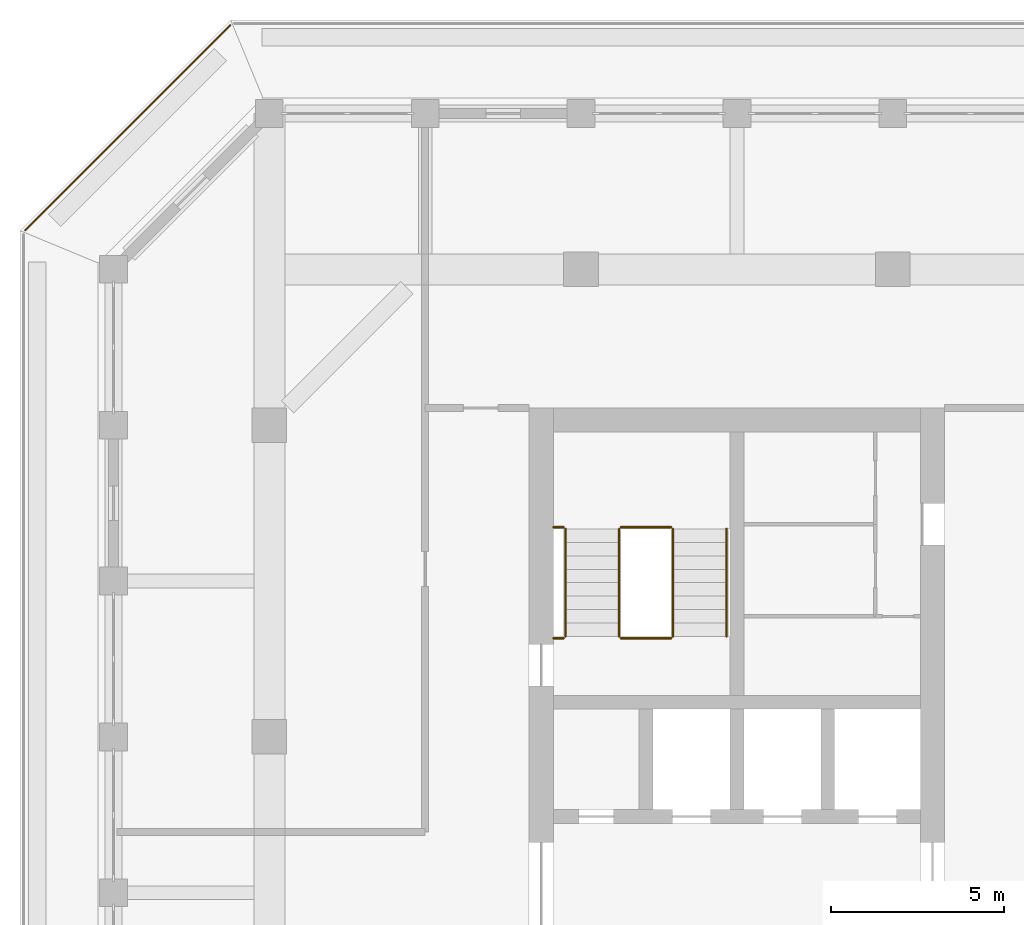
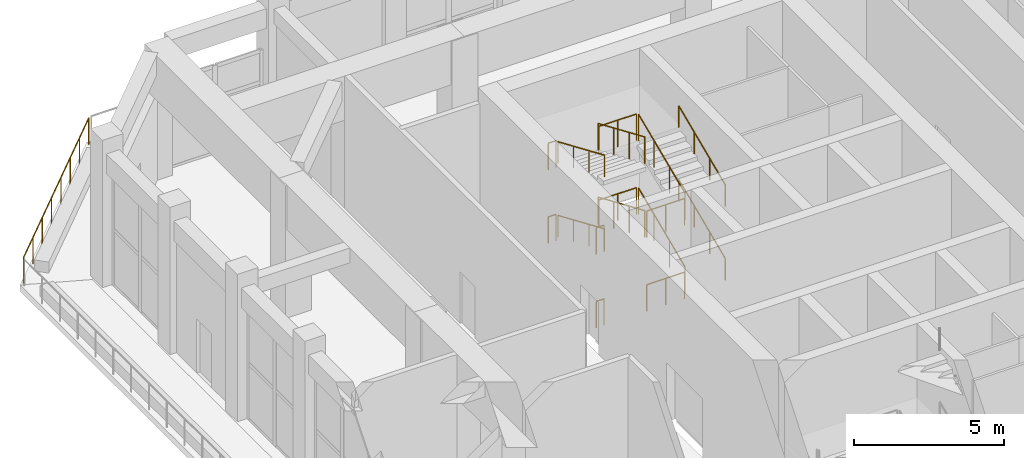
# One storey, part 17 of 20: 17 railings.
"""IFC4 building model written with IfcOpenShell, lengths in metres."""

from ifc_helpers import new_model, si_unit, direction, frame, origin, origin_2d, place, context, subcontext, project, spatial, circle, extrude, material, type_object, element, save


model = new_model("IFC4")

# Units and contexts
model_context = context("Model", 3, precision=1e-05, world=origin(), true_north=direction((0.0, 1.0)))
body_context = subcontext(model_context, "Body", "Model", "MODEL_VIEW")
ifc_project = project(units=[si_unit("LENGTHUNIT", "METRE"), si_unit("AREAUNIT", "SQUARE_METRE"), si_unit("VOLUMEUNIT", "CUBIC_METRE"), si_unit("PLANEANGLEUNIT", "RADIAN"), si_unit("MASSUNIT", "GRAM", prefix="KILO")], contexts=[model_context])

# Site, building, storey
site_placement = place(None, origin())
site = spatial("IfcSite", under=ifc_project, at=site_placement, CompositionType="ELEMENT")
building_placement = place(site_placement, origin())
building = spatial("IfcBuilding", under=site, at=building_placement, Name="Corbel Stack Research Tower", CompositionType="ELEMENT")
storey_placement = place(building_placement, frame((0.0, 0.0, 295.0)))
storey = spatial("IfcBuildingStorey", under=building, at=storey_placement, Name="L67", CompositionType="ELEMENT", Elevation=295.0)

# Railings
ifc_material_1 = material(Name="Steel S355", Category="steel")
railing_type_1 = type_object("IfcRailingType", Name="Stair guard 1100", PredefinedType="GUARDRAIL", material=ifc_material_1)
railing_1_placement = place(storey_placement, frame((-6.35009765625, 11.89990234375, 0.166748046875)))
element("IfcRailing", 1, at=railing_1_placement, inside=storey, type_object=railing_type_1, Name="L67 ST-W2 stair guard 1", PredefinedType="GUARDRAIL", context=body_context, shape_type="SweptSolid", body=[
    extrude(circle(Radius=0.02392578125, at=origin_2d()), frame((0.0, 0.0, 1.076171875), z_axis=(0.0, 0.918826996994, 0.394660549834), x_axis=(-1.0, 0.0, 0.0)), (0.0, 0.0, 1.0), 3.378173828125),
    extrude(circle(Radius=0.02099609375, at=origin_2d()), origin(), (0.0, 0.0, 1.0), 1.052001953125),
    extrude(circle(Radius=0.02099609375, at=origin_2d()), frame((0.0, 1.03466796875, 0.4443359375)), (0.0, 0.0, 1.0), 1.052001953125),
    extrude(circle(Radius=0.02099609375, at=origin_2d()), frame((0.0, 2.0693359375, 0.888916015625)), (0.0, 0.0, 1.0), 1.052001953125),
    extrude(circle(Radius=0.02099609375, at=origin_2d()), frame((0.0, 3.10400390625, 1.333251953125)), (0.0, 0.0, 1.0), 1.052001953125),
])
railing_2_placement = place(storey_placement, frame((-6.39990234375, 15.053955078125, 1.5)))
element("IfcRailing", 2, at=railing_2_placement, inside=storey, type_object=railing_type_1, Name="L67 ST-W2 stair guard 2", PredefinedType="GUARDRAIL", context=body_context, shape_type="SweptSolid", body=[
    extrude(circle(Radius=0.02392578125, at=origin_2d()), frame((0.0, 0.0, 1.076171875), z_axis=(-1.0, 0.0, 0.0), x_axis=(0.0, -1.0, 0.0)), (0.0, 0.0, 1.0), 1.4501953125),
    extrude(circle(Radius=0.02099609375, at=origin_2d()), origin(), (0.0, 0.0, 1.0), 1.052001953125),
    extrude(circle(Radius=0.02099609375, at=origin_2d()), frame((-0.72509765625, 0.0, 0.0)), (0.0, 0.0, 1.0), 1.052001953125),
    extrude(circle(Radius=0.02099609375, at=origin_2d()), frame((-1.4501953125, 0.0, 0.0)), (0.0, 0.0, 1.0), 1.052001953125),
])
railing_3_placement = place(storey_placement, frame((-9.5, 15.053955078125, 1.5)))
element("IfcRailing", 3, at=railing_3_placement, inside=storey, type_object=railing_type_1, Name="L67 ST-W2 stair guard 3", PredefinedType="GUARDRAIL", context=body_context, shape_type="SweptSolid", body=[
    extrude(circle(Radius=0.02392578125, at=origin_2d()), frame((0.0, 0.0, 1.076171875), z_axis=(-1.0, 0.0, 0.0), x_axis=(0.0, -1.0, 0.0)), (0.0, 0.0, 1.0), 0.300048828125),
    extrude(circle(Radius=0.02099609375, at=origin_2d()), origin(), (0.0, 0.0, 1.0), 1.052001953125),
    extrude(circle(Radius=0.02099609375, at=origin_2d()), frame((-0.300048828125, 0.0, 0.0)), (0.0, 0.0, 1.0), 1.052001953125),
])
railing_4_placement = place(storey_placement, frame((-7.89990234375, 15.00390625, 1.666748046875)))
element("IfcRailing", 4, at=railing_4_placement, inside=storey, type_object=railing_type_1, Name="L67 ST-W2 stair guard 4", PredefinedType="GUARDRAIL", context=body_context, shape_type="SweptSolid", body=[
    extrude(circle(Radius=0.02392578125, at=origin_2d()), frame((0.0, 0.0, 1.076171875), z_axis=(0.0, -0.918826996994, 0.394660549834), x_axis=(1.0, 0.0, 0.0)), (0.0, 0.0, 1.0), 3.378173828125),
    extrude(circle(Radius=0.02099609375, at=origin_2d()), origin(), (0.0, 0.0, 1.0), 1.052001953125),
    extrude(circle(Radius=0.02099609375, at=origin_2d()), frame((0.0, -1.03466796875, 0.4443359375)), (0.0, 0.0, 1.0), 1.052001953125),
    extrude(circle(Radius=0.02099609375, at=origin_2d()), frame((0.0, -2.0693359375, 0.888916015625)), (0.0, 0.0, 1.0), 1.052001953125),
    extrude(circle(Radius=0.02099609375, at=origin_2d()), frame((0.0, -3.10400390625, 1.333251953125)), (0.0, 0.0, 1.0), 1.052001953125),
])
railing_5_placement = place(storey_placement, frame((-6.39990234375, 11.85009765625, 3.0)))
element("IfcRailing", 5, at=railing_5_placement, inside=storey, type_object=railing_type_1, Name="L67 ST-W2 stair guard 5", PredefinedType="GUARDRAIL", context=body_context, shape_type="SweptSolid", body=[
    extrude(circle(Radius=0.02392578125, at=origin_2d()), frame((0.0, 0.0, 1.076171875), z_axis=(-1.0, 0.0, 0.0), x_axis=(0.0, -1.0, 0.0)), (0.0, 0.0, 1.0), 1.4501953125),
    extrude(circle(Radius=0.02099609375, at=origin_2d()), origin(), (0.0, 0.0, 1.0), 1.052001953125),
    extrude(circle(Radius=0.02099609375, at=origin_2d()), frame((-0.72509765625, 0.0, 0.0)), (0.0, 0.0, 1.0), 1.052001953125),
    extrude(circle(Radius=0.02099609375, at=origin_2d()), frame((-1.4501953125, 0.0, 0.0)), (0.0, 0.0, 1.0), 1.052001953125),
])
railing_6_placement = place(storey_placement, frame((-9.5, 11.85009765625, 3.0)))
element("IfcRailing", 6, at=railing_6_placement, inside=storey, type_object=railing_type_1, Name="L67 ST-W2 stair guard 6", PredefinedType="GUARDRAIL", context=body_context, shape_type="SweptSolid", body=[
    extrude(circle(Radius=0.02392578125, at=origin_2d()), frame((0.0, 0.0, 1.076171875), z_axis=(-1.0, 0.0, 0.0), x_axis=(0.0, -1.0, 0.0)), (0.0, 0.0, 1.0), 0.300048828125),
    extrude(circle(Radius=0.02099609375, at=origin_2d()), origin(), (0.0, 0.0, 1.0), 1.052001953125),
    extrude(circle(Radius=0.02099609375, at=origin_2d()), frame((-0.300048828125, 0.0, 0.0)), (0.0, 0.0, 1.0), 1.052001953125),
])
railing_7_placement = place(storey_placement, frame((-6.35009765625, 11.89990234375, 3.166748046875)))
element("IfcRailing", 7, at=railing_7_placement, inside=storey, type_object=railing_type_1, Name="L67 ST-W2 stair guard 7", PredefinedType="GUARDRAIL", context=body_context, shape_type="SweptSolid", body=[
    extrude(circle(Radius=0.02392578125, at=origin_2d()), frame((0.0, 0.0, 1.076171875), z_axis=(0.0, 0.918826996994, 0.394660549834), x_axis=(-1.0, 0.0, 0.0)), (0.0, 0.0, 1.0), 3.378173828125),
    extrude(circle(Radius=0.02099609375, at=origin_2d()), origin(), (0.0, 0.0, 1.0), 1.052001953125),
    extrude(circle(Radius=0.02099609375, at=origin_2d()), frame((0.0, 1.03466796875, 0.4443359375)), (0.0, 0.0, 1.0), 1.052001953125),
    extrude(circle(Radius=0.02099609375, at=origin_2d()), frame((0.0, 2.0693359375, 0.888916015625)), (0.0, 0.0, 1.0), 1.052001953125),
    extrude(circle(Radius=0.02099609375, at=origin_2d()), frame((0.0, 3.10400390625, 1.333251953125)), (0.0, 0.0, 1.0), 1.052001953125),
])
railing_8_placement = place(storey_placement, frame((-6.39990234375, 15.053955078125, 4.5)))
element("IfcRailing", 8, at=railing_8_placement, inside=storey, type_object=railing_type_1, Name="L67 ST-W2 stair guard 8", PredefinedType="GUARDRAIL", context=body_context, shape_type="SweptSolid", body=[
    extrude(circle(Radius=0.02392578125, at=origin_2d()), frame((0.0, 0.0, 1.076171875), z_axis=(-1.0, 0.0, 0.0), x_axis=(0.0, -1.0, 0.0)), (0.0, 0.0, 1.0), 1.4501953125),
    extrude(circle(Radius=0.02099609375, at=origin_2d()), origin(), (0.0, 0.0, 1.0), 1.052001953125),
    extrude(circle(Radius=0.02099609375, at=origin_2d()), frame((-0.72509765625, 0.0, 0.0)), (0.0, 0.0, 1.0), 1.052001953125),
    extrude(circle(Radius=0.02099609375, at=origin_2d()), frame((-1.4501953125, 0.0, 0.0)), (0.0, 0.0, 1.0), 1.052001953125),
])
railing_9_placement = place(storey_placement, frame((-9.5, 15.053955078125, 4.5)))
element("IfcRailing", 9, at=railing_9_placement, inside=storey, type_object=railing_type_1, Name="L67 ST-W2 stair guard 9", PredefinedType="GUARDRAIL", context=body_context, shape_type="SweptSolid", body=[
    extrude(circle(Radius=0.02392578125, at=origin_2d()), frame((0.0, 0.0, 1.076171875), z_axis=(-1.0, 0.0, 0.0), x_axis=(0.0, -1.0, 0.0)), (0.0, 0.0, 1.0), 0.300048828125),
    extrude(circle(Radius=0.02099609375, at=origin_2d()), origin(), (0.0, 0.0, 1.0), 1.052001953125),
    extrude(circle(Radius=0.02099609375, at=origin_2d()), frame((-0.300048828125, 0.0, 0.0)), (0.0, 0.0, 1.0), 1.052001953125),
])
railing_10_placement = place(storey_placement, frame((-7.89990234375, 15.00390625, 4.666748046875)))
element("IfcRailing", 10, at=railing_10_placement, inside=storey, type_object=railing_type_1, Name="L67 ST-W2 stair guard 10", PredefinedType="GUARDRAIL", context=body_context, shape_type="SweptSolid", body=[
    extrude(circle(Radius=0.02392578125, at=origin_2d()), frame((0.0, 0.0, 1.076171875), z_axis=(0.0, -0.918826996994, 0.394660549834), x_axis=(1.0, 0.0, 0.0)), (0.0, 0.0, 1.0), 3.378173828125),
    extrude(circle(Radius=0.02099609375, at=origin_2d()), origin(), (0.0, 0.0, 1.0), 1.052001953125),
    extrude(circle(Radius=0.02099609375, at=origin_2d()), frame((0.0, -1.03466796875, 0.4443359375)), (0.0, 0.0, 1.0), 1.052001953125),
    extrude(circle(Radius=0.02099609375, at=origin_2d()), frame((0.0, -2.0693359375, 0.888916015625)), (0.0, 0.0, 1.0), 1.052001953125),
    extrude(circle(Radius=0.02099609375, at=origin_2d()), frame((0.0, -3.10400390625, 1.333251953125)), (0.0, 0.0, 1.0), 1.052001953125),
])
railing_11_placement = place(storey_placement, frame((-6.39990234375, 11.85009765625, 0.0)))
element("IfcRailing", 11, at=railing_11_placement, inside=storey, type_object=railing_type_1, Name="L67 ST-W2 stair guard 11", PredefinedType="GUARDRAIL", context=body_context, shape_type="SweptSolid", body=[
    extrude(circle(Radius=0.02392578125, at=origin_2d()), frame((0.0, 0.0, 1.076171875), z_axis=(-1.0, 0.0, 0.0), x_axis=(0.0, -1.0, 0.0)), (0.0, 0.0, 1.0), 1.4501953125),
    extrude(circle(Radius=0.02099609375, at=origin_2d()), origin(), (0.0, 0.0, 1.0), 1.052001953125),
    extrude(circle(Radius=0.02099609375, at=origin_2d()), frame((-0.72509765625, 0.0, 0.0)), (0.0, 0.0, 1.0), 1.052001953125),
    extrude(circle(Radius=0.02099609375, at=origin_2d()), frame((-1.4501953125, 0.0, 0.0)), (0.0, 0.0, 1.0), 1.052001953125),
])
railing_12_placement = place(storey_placement, frame((-9.5, 11.85009765625, 0.0)))
element("IfcRailing", 12, at=railing_12_placement, inside=storey, type_object=railing_type_1, Name="L67 ST-W2 stair guard 12", PredefinedType="GUARDRAIL", context=body_context, shape_type="SweptSolid", body=[
    extrude(circle(Radius=0.02392578125, at=origin_2d()), frame((0.0, 0.0, 1.076171875), z_axis=(-1.0, 0.0, 0.0), x_axis=(0.0, -1.0, 0.0)), (0.0, 0.0, 1.0), 0.300048828125),
    extrude(circle(Radius=0.02099609375, at=origin_2d()), origin(), (0.0, 0.0, 1.0), 1.052001953125),
    extrude(circle(Radius=0.02099609375, at=origin_2d()), frame((-0.300048828125, 0.0, 0.0)), (0.0, 0.0, 1.0), 1.052001953125),
])
ifc_material_2 = material(Name="Steel S355", Category="steel")
railing_type_2 = type_object("IfcRailingType", Name="Stair handrail 900", PredefinedType="HANDRAIL", material=ifc_material_2)
railing_13_placement = place(storey_placement, frame((-4.800048828125, 11.89990234375, 0.166748046875)))
element("IfcRailing", 13, at=railing_13_placement, inside=storey, type_object=railing_type_2, Name="L67 ST-W2 stair handrail 1", PredefinedType="HANDRAIL", context=body_context, shape_type="SweptSolid", body=[
    extrude(circle(Radius=0.02392578125, at=origin_2d()), frame((0.0, 0.0, 0.8759765625), z_axis=(0.0, 0.918826996994, 0.394660549834), x_axis=(-1.0, 0.0, 0.0)), (0.0, 0.0, 1.0), 3.378173828125),
    extrude(circle(Radius=0.02099609375, at=origin_2d()), origin(), (0.0, 0.0, 1.0), 0.851806640625),
    extrude(circle(Radius=0.02099609375, at=origin_2d()), frame((0.0, 1.03466796875, 0.4443359375)), (0.0, 0.0, 1.0), 0.851806640625),
    extrude(circle(Radius=0.02099609375, at=origin_2d()), frame((0.0, 2.0693359375, 0.888916015625)), (0.0, 0.0, 1.0), 0.851806640625),
    extrude(circle(Radius=0.02099609375, at=origin_2d()), frame((0.0, 3.10400390625, 1.333251953125)), (0.0, 0.0, 1.0), 0.851806640625),
])
railing_14_placement = place(storey_placement, frame((-9.449951171875, 15.00390625, 1.666748046875)))
element("IfcRailing", 14, at=railing_14_placement, inside=storey, type_object=railing_type_2, Name="L67 ST-W2 stair handrail 2", PredefinedType="HANDRAIL", context=body_context, shape_type="SweptSolid", body=[
    extrude(circle(Radius=0.02392578125, at=origin_2d()), frame((0.0, 0.0, 0.8759765625), z_axis=(0.0, -0.918826996994, 0.394660549834), x_axis=(1.0, 0.0, 0.0)), (0.0, 0.0, 1.0), 3.378173828125),
    extrude(circle(Radius=0.02099609375, at=origin_2d()), origin(), (0.0, 0.0, 1.0), 0.851806640625),
    extrude(circle(Radius=0.02099609375, at=origin_2d()), frame((0.0, -1.03466796875, 0.4443359375)), (0.0, 0.0, 1.0), 0.851806640625),
    extrude(circle(Radius=0.02099609375, at=origin_2d()), frame((0.0, -2.0693359375, 0.888916015625)), (0.0, 0.0, 1.0), 0.851806640625),
    extrude(circle(Radius=0.02099609375, at=origin_2d()), frame((0.0, -3.10400390625, 1.333251953125)), (0.0, 0.0, 1.0), 0.851806640625),
])
railing_15_placement = place(storey_placement, frame((-4.800048828125, 11.89990234375, 3.166748046875)))
element("IfcRailing", 15, at=railing_15_placement, inside=storey, type_object=railing_type_2, Name="L67 ST-W2 stair handrail 3", PredefinedType="HANDRAIL", context=body_context, shape_type="SweptSolid", body=[
    extrude(circle(Radius=0.02392578125, at=origin_2d()), frame((0.0, 0.0, 0.8759765625), z_axis=(0.0, 0.918826996994, 0.394660549834), x_axis=(-1.0, 0.0, 0.0)), (0.0, 0.0, 1.0), 3.378173828125),
    extrude(circle(Radius=0.02099609375, at=origin_2d()), origin(), (0.0, 0.0, 1.0), 0.851806640625),
    extrude(circle(Radius=0.02099609375, at=origin_2d()), frame((0.0, 1.03466796875, 0.4443359375)), (0.0, 0.0, 1.0), 0.851806640625),
    extrude(circle(Radius=0.02099609375, at=origin_2d()), frame((0.0, 2.0693359375, 0.888916015625)), (0.0, 0.0, 1.0), 0.851806640625),
    extrude(circle(Radius=0.02099609375, at=origin_2d()), frame((0.0, 3.10400390625, 1.333251953125)), (0.0, 0.0, 1.0), 0.851806640625),
])
railing_16_placement = place(storey_placement, frame((-9.449951171875, 15.00390625, 4.666748046875)))
element("IfcRailing", 16, at=railing_16_placement, inside=storey, type_object=railing_type_2, Name="L67 ST-W2 stair handrail 4", PredefinedType="HANDRAIL", context=body_context, shape_type="SweptSolid", body=[
    extrude(circle(Radius=0.02392578125, at=origin_2d()), frame((0.0, 0.0, 0.8759765625), z_axis=(0.0, -0.918826996994, 0.394660549834), x_axis=(1.0, 0.0, 0.0)), (0.0, 0.0, 1.0), 3.378173828125),
    extrude(circle(Radius=0.02099609375, at=origin_2d()), origin(), (0.0, 0.0, 1.0), 0.851806640625),
    extrude(circle(Radius=0.02099609375, at=origin_2d()), frame((0.0, -1.03466796875, 0.4443359375)), (0.0, 0.0, 1.0), 0.851806640625),
    extrude(circle(Radius=0.02099609375, at=origin_2d()), frame((0.0, -2.0693359375, 0.888916015625)), (0.0, 0.0, 1.0), 0.851806640625),
    extrude(circle(Radius=0.02099609375, at=origin_2d()), frame((0.0, -3.10400390625, 1.333251953125)), (0.0, 0.0, 1.0), 0.851806640625),
])
ifc_material_3 = material(Name="Powder-coated steel guard", Category="steel")
railing_type_3 = type_object("IfcRailingType", Name="Steel and glass guard 1100", PredefinedType="GUARDRAIL", material=ifc_material_3)
railing_17_placement = place(storey_placement, frame((-19.127685546875, 29.54931640625, 0.0)))
element("IfcRailing", 17, at=railing_17_placement, inside=storey, type_object=railing_type_3, Name="Loggia guard L67 NW", PredefinedType="GUARDRAIL", context=body_context, shape_type="SweptSolid", body=[
    extrude(circle(Radius=0.02392578125, at=origin_2d()), frame((0.0, 0.0, 1.076171875), z_axis=(-0.707106781187, -0.707106781187, 0.0), x_axis=(0.707106781187, -0.707106781187, 0.0)), (0.0, 0.0, 1.0), 8.37451171875),
    extrude(circle(Radius=0.02099609375, at=origin_2d()), origin(), (0.0, 0.0, 1.0), 1.052001953125),
    extrude(circle(Radius=0.02099609375, at=origin_2d()), frame((-0.845947265625, -0.845947265625, 0.0)), (0.0, 0.0, 1.0), 1.052001953125),
    extrude(circle(Radius=0.02099609375, at=origin_2d()), frame((-1.69189453125, -1.69189453125, 0.0)), (0.0, 0.0, 1.0), 1.052001953125),
    extrude(circle(Radius=0.02099609375, at=origin_2d()), frame((-2.537841796875, -2.537841796875, 0.0)), (0.0, 0.0, 1.0), 1.052001953125),
    extrude(circle(Radius=0.02099609375, at=origin_2d()), frame((-3.3837890625, -3.3837890625, 0.0)), (0.0, 0.0, 1.0), 1.052001953125),
    extrude(circle(Radius=0.02099609375, at=origin_2d()), frame((-4.229736328125, -4.229736328125, 0.0)), (0.0, 0.0, 1.0), 1.052001953125),
    extrude(circle(Radius=0.02099609375, at=origin_2d()), frame((-5.07568359375, -5.07568359375, 0.0)), (0.0, 0.0, 1.0), 1.052001953125),
    extrude(circle(Radius=0.02099609375, at=origin_2d()), frame((-5.921630859375, -5.921630859375, 0.0)), (0.0, 0.0, 1.0), 1.052001953125),
])

save(model, "model.ifc")
